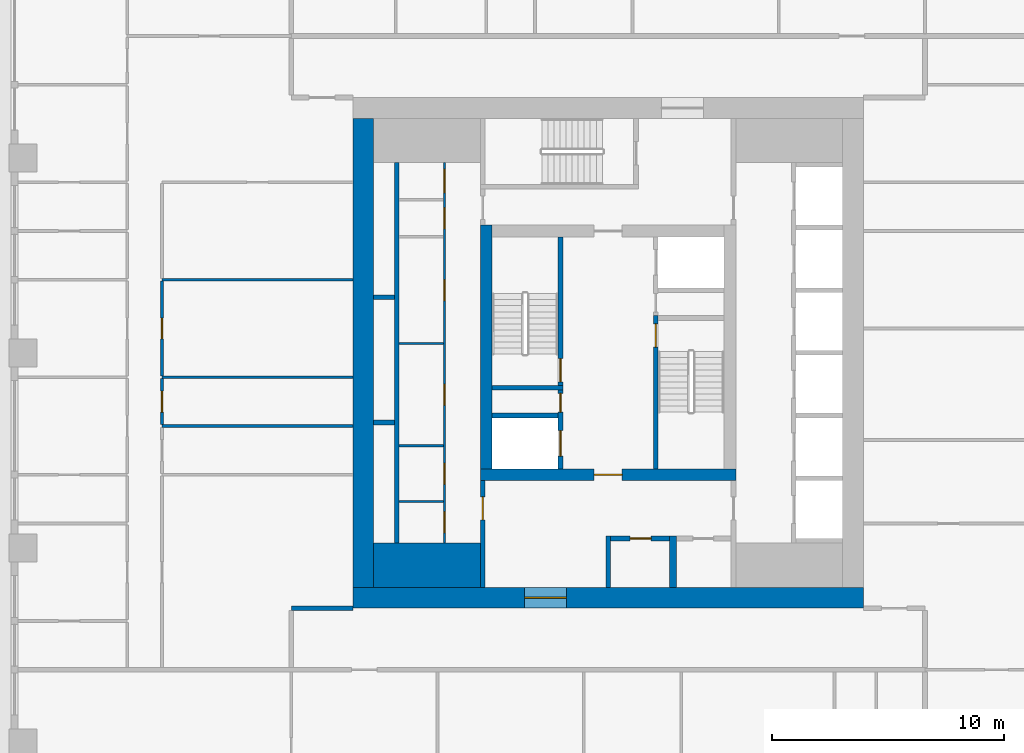
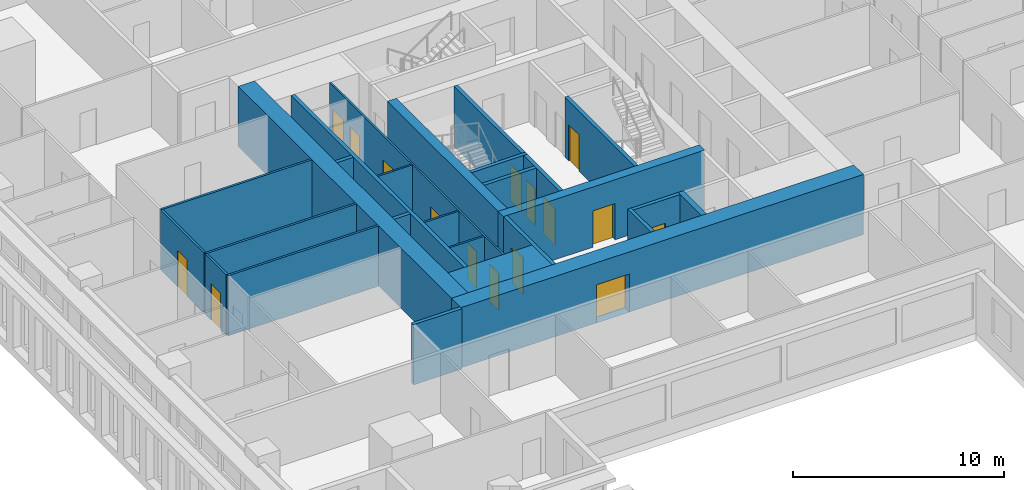
# One storey, part 3 of 14: 27 walls, 16 doors, 16 openings.
"""IFC4 building model written with IfcOpenShell, lengths in metres."""

from ifc_helpers import new_model, si_unit, direction, frame, frame_2d, origin, place, context, subcontext, project, spatial, rectangle, extrude, material, layer, layer_set, type_object, element, fill, save


model = new_model("IFC4")

# Units and contexts
model_context = context("Model", 3, precision=1e-05, world=origin(), true_north=direction((0.0, 1.0)))
body_context = subcontext(model_context, "Body", "Model", "MODEL_VIEW")
ifc_project = project(units=[si_unit("LENGTHUNIT", "METRE"), si_unit("AREAUNIT", "SQUARE_METRE"), si_unit("VOLUMEUNIT", "CUBIC_METRE"), si_unit("PLANEANGLEUNIT", "RADIAN"), si_unit("MASSUNIT", "GRAM", prefix="KILO")], contexts=[model_context])

# Site, building, storey
site_placement = place(None, origin())
site = spatial("IfcSite", under=ifc_project, at=site_placement, CompositionType="ELEMENT")
building_placement = place(site_placement, origin())
building = spatial("IfcBuilding", under=site, at=building_placement, Name="Khepri Terraces", CompositionType="ELEMENT")
storey_placement = place(building_placement, frame((0.0, 0.0, 275.699951171875)))
storey = spatial("IfcBuildingStorey", under=building, at=storey_placement, Name="L66", CompositionType="ELEMENT", Elevation=275.699951171875)

# Wall
ifc_material_1 = material(Name="Concrete C40/50", Category="concrete")
ifc_layer_1 = layer(ifc_material_1, 1.89990234375, Name="Concrete C40/50", Category="concrete")
ifc_layer_set_1 = layer_set([ifc_layer_1], Name="Concrete C40/50")
wall_type_1 = type_object("IfcWallType", Name="Core wall 1900 C40/50", PredefinedType="SHEAR", material=ifc_layer_set_1)
wall_1_placement = place(storey_placement, frame((-10.10009765625, -9.14990234375, 0.0), z_axis=(0.0, 0.0, 1.0), x_axis=(1.0, 0.0, 0.0)))
element("IfcWall", 1, at=wall_1_placement, inside=storey, type_object=wall_type_1, Name="Core wall PR01 L66", PredefinedType="SHEAR", context=body_context, shape_type="SweptSolid", body=[
    extrude(rectangle(XDim=4.60009765625, YDim=1.89990234375, at=frame_2d((2.300048828125, 0.0))), origin(), (0.0, 0.0, 1.0), 3.47998046875),
])

# Wall, opening, door
ifc_layer_2 = layer(ifc_material_1, 0.199951171875, Name="Concrete C40/50", Category="concrete")
ifc_layer_set_2 = layer_set([ifc_layer_2], Name="Concrete C40/50")
wall_type_2 = type_object("IfcWallType", Name="Core wall 200 C40/50", PredefinedType="SHEAR", material=ifc_layer_set_2)
wall_2_placement = place(storey_placement, frame((2.050048828125, -5.0, 0.0), z_axis=(0.0, 0.0, 1.0), x_axis=(0.0, 1.0, 0.0)))
wall_2 = element("IfcWall", 2, at=wall_2_placement, inside=storey, type_object=wall_type_2, Name="Core wall ST01 L66", PredefinedType="SHEAR", context=body_context, shape_type="SweptSolid", body=[
    extrude(rectangle(XDim=6.60009765625, YDim=0.199951171875, at=frame_2d((3.300048828125, 0.0))), origin(), (0.0, 0.0, 1.0), 3.47998046875),
])
opening_1_placement = place(wall_2_placement, frame((5.25, 0.0, 0.0)))
opening_1 = element("IfcOpeningElement", 3, at=opening_1_placement, cuts=wall_2, Name="Opening L66-C10", PredefinedType="OPENING", context=body_context, shape_type="SweptSolid", body=[
    extrude(rectangle(XDim=1.0, YDim=2.10009765625, at=frame_2d((0.5, 1.050048828125))), frame((0.0, 0.10986328125, 0.0), z_axis=(0.0, -1.0, 0.0), x_axis=(1.0, 0.0, 0.0)), (0.0, 0.0, 1.0), 0.219970703125),
])
ifc_material_2 = material(Name="Painted steel", Category="steel")
door_type_1 = type_object("IfcDoorType", Name="DR-CORE-STAIR-1000", OperationType="NOTDEFINED", PredefinedType="DOOR", material=ifc_material_2)
door_1_placement = place(opening_1_placement, frame((1.0, 0.0, 0.0), z_axis=(0.0, 0.0, 1.0), x_axis=(-1.0, 0.0, 0.0)))
door_1 = element("IfcDoor", 4, at=door_1_placement, inside=storey, type_object=door_type_1, Name="Stair door L66-C10", OperationType="SINGLE_SWING_LEFT", OverallHeight=2.10009765625, OverallWidth=1.0, PredefinedType="DOOR", context=body_context, shape_type="SweptSolid", body=[
    extrude(rectangle(XDim=1.0, YDim=2.10009765625, at=frame_2d((0.5, 1.050048828125))), frame((0.0, 0.02490234375, 0.0), z_axis=(0.0, -1.0, 0.0), x_axis=(1.0, 0.0, 0.0)), (0.0, 0.0, 1.0), 0.050048828125),
])
fill(opening_1, door_1)

# Wall
wall_3_placement = place(storey_placement, frame((-5.0, -1.5, 0.0), z_axis=(0.0, 0.0, 1.0), x_axis=(1.0, 0.0, 0.0)))
element("IfcWall", 5, at=wall_3_placement, inside=storey, type_object=wall_type_2, Name="Core wall ST02 L66", PredefinedType="SHEAR", context=body_context, shape_type="SweptSolid", body=[
    extrude(rectangle(XDim=3.050048828125, YDim=0.199951171875, at=frame_2d((1.52490234375, 0.0))), origin(), (0.0, 0.0, 1.0), 3.47998046875),
])

# Wall, opening, door
wall_4_placement = place(storey_placement, frame((-2.050048828125, -1.39990234375, 0.0), z_axis=(0.0, 0.0, 1.0), x_axis=(0.0, 1.0, 0.0)))
wall_4 = element("IfcWall", 6, at=wall_4_placement, inside=storey, type_object=wall_type_2, Name="Core wall ST03 L66", PredefinedType="SHEAR", context=body_context, shape_type="SweptSolid", body=[
    extrude(rectangle(XDim=6.39990234375, YDim=0.199951171875, at=frame_2d((3.199951171875, 0.0))), origin(), (0.0, 0.0, 1.0), 3.47998046875),
])
opening_2_placement = place(wall_4_placement, frame((0.14990234375, 0.0, 0.0)))
opening_2 = element("IfcOpeningElement", 7, at=opening_2_placement, cuts=wall_4, Name="Opening L66-C09", PredefinedType="OPENING", context=body_context, shape_type="SweptSolid", body=[
    extrude(rectangle(XDim=1.0, YDim=2.10009765625, at=frame_2d((0.5, 1.050048828125))), frame((0.0, 0.10986328125, 0.0), z_axis=(0.0, -1.0, 0.0), x_axis=(1.0, 0.0, 0.0)), (0.0, 0.0, 1.0), 0.219970703125),
])
door_2_placement = place(opening_2_placement, origin())
door_2 = element("IfcDoor", 8, at=door_2_placement, inside=storey, type_object=door_type_1, Name="Stair door L66-C09", OperationType="SINGLE_SWING_LEFT", OverallHeight=2.10009765625, OverallWidth=1.0, PredefinedType="DOOR", context=body_context, shape_type="SweptSolid", body=[
    extrude(rectangle(XDim=1.0, YDim=2.10009765625, at=frame_2d((0.5, 1.050048828125))), frame((0.0, 0.02490234375, 0.0), z_axis=(0.0, -1.0, 0.0), x_axis=(1.0, 0.0, 0.0)), (0.0, 0.0, 1.0), 0.050048828125),
])
fill(opening_2, door_2)

# Wall
wall_5_placement = place(storey_placement, frame((-9.10009765625, -8.199951171875, 0.0), z_axis=(0.0, 0.0, 1.0), x_axis=(0.0, 1.0, 0.0)))
element("IfcWall", 9, at=wall_5_placement, inside=storey, type_object=wall_type_2, Name="Core wall SH01 L66", PredefinedType="SHEAR", context=body_context, shape_type="SweptSolid", body=[
    extrude(rectangle(XDim=16.39990234375, YDim=0.199951171875, at=frame_2d((8.199951171875, 0.0))), origin(), (0.0, 0.0, 1.0), 3.47998046875),
])

# Wall, openings, doors
wall_6_placement = place(storey_placement, frame((-2.050048828125, -5.0, 0.0), z_axis=(0.0, 0.0, 1.0), x_axis=(0.0, 1.0, 0.0)))
wall_6 = element("IfcWall", 10, at=wall_6_placement, inside=storey, type_object=wall_type_2, Name="Core wall SH05 L66", PredefinedType="SHEAR", context=body_context, shape_type="SweptSolid", body=[
    extrude(rectangle(XDim=3.39990234375, YDim=0.199951171875, at=frame_2d((1.699951171875, 0.0))), origin(), (0.0, 0.0, 1.0), 3.47998046875),
])
opening_3_placement = place(wall_6_placement, frame((0.550048828125, 0.0, 0.0)))
opening_3 = element("IfcOpeningElement", 11, at=opening_3_placement, cuts=wall_6, Name="Opening L66-C08", PredefinedType="OPENING", context=body_context, shape_type="SweptSolid", body=[
    extrude(rectangle(XDim=1.10009765625, YDim=2.10009765625, at=frame_2d((0.550048828125, 1.050048828125))), frame((0.0, 0.10986328125, 0.0), z_axis=(0.0, -1.0, 0.0), x_axis=(1.0, 0.0, 0.0)), (0.0, 0.0, 1.0), 0.219970703125),
])
opening_4_placement = place(wall_6_placement, frame((2.449951171875, 0.0, 0.0)))
opening_4 = element("IfcOpeningElement", 12, at=opening_4_placement, cuts=wall_6, Name="Opening L66-C12", PredefinedType="OPENING", context=body_context, shape_type="SweptSolid", body=[
    extrude(rectangle(XDim=0.800048828125, YDim=2.10009765625, at=frame_2d((0.39990234375, 1.050048828125))), frame((0.0, 0.10986328125, 0.0), z_axis=(0.0, -1.0, 0.0), x_axis=(1.0, 0.0, 0.0)), (0.0, 0.0, 1.0), 0.219970703125),
])
ifc_material_3 = material(Name="Stainless steel 304", Category="steel")
door_type_2 = type_object("IfcDoorType", Name="DR-CORE-FF-LANDING-1100", OperationType="NOTDEFINED", PredefinedType="DOOR", material=ifc_material_3)
door_3_placement = place(opening_3_placement, origin())
door_3 = element("IfcDoor", 13, at=door_3_placement, inside=storey, type_object=door_type_2, Name="Firefighting lift landing door L66-C08", OperationType="SLIDING_TO_LEFT", OverallHeight=2.10009765625, OverallWidth=1.10009765625, PredefinedType="DOOR", context=body_context, shape_type="SweptSolid", body=[
    extrude(rectangle(XDim=1.10009765625, YDim=2.10009765625, at=frame_2d((0.550048828125, 1.050048828125))), frame((0.0, 0.02490234375, 0.0), z_axis=(0.0, -1.0, 0.0), x_axis=(1.0, 0.0, 0.0)), (0.0, 0.0, 1.0), 0.050048828125),
])
fill(opening_3, door_3)
door_type_3 = type_object("IfcDoorType", Name="DR-CORE-RISER-800", OperationType="NOTDEFINED", PredefinedType="DOOR", material=ifc_material_2)
door_4_placement = place(opening_4_placement, origin())
door_4 = element("IfcDoor", 14, at=door_4_placement, inside=storey, type_object=door_type_3, Name="Riser door L66-C12", OperationType="SINGLE_SWING_RIGHT", OverallHeight=2.10009765625, OverallWidth=0.800048828125, PredefinedType="DOOR", context=body_context, shape_type="SweptSolid", body=[
    extrude(rectangle(XDim=0.800048828125, YDim=2.10009765625, at=frame_2d((0.39990234375, 1.050048828125))), frame((0.0, 0.02490234375, 0.0), z_axis=(0.0, -1.0, 0.0), x_axis=(1.0, 0.0, 0.0)), (0.0, 0.0, 1.0), 0.050048828125),
])
fill(opening_4, door_4)

# Walls
wall_7_placement = place(storey_placement, frame((-10.10009765625, -3.0, 0.0), z_axis=(0.0, 0.0, 1.0), x_axis=(1.0, 0.0, 0.0)))
element("IfcWall", 15, at=wall_7_placement, inside=storey, type_object=wall_type_2, Name="Core wall SH06 L66", PredefinedType="SHEAR", context=body_context, shape_type="SweptSolid", body=[
    extrude(rectangle(XDim=0.900146484375, YDim=0.199951171875, at=frame_2d((0.4501953125, 0.0))), origin(), (0.0, 0.0, 1.0), 3.47998046875),
])
wall_8_placement = place(storey_placement, frame((-5.0, -2.699951171875, 0.0), z_axis=(0.0, 0.0, 1.0), x_axis=(1.0, 0.0, 0.0)))
element("IfcWall", 16, at=wall_8_placement, inside=storey, type_object=wall_type_2, Name="Core wall SH07 L66", PredefinedType="SHEAR", context=body_context, shape_type="SweptSolid", body=[
    extrude(rectangle(XDim=2.85009765625, YDim=0.199951171875, at=frame_2d((1.425048828125, 0.0))), origin(), (0.0, 0.0, 1.0), 3.47998046875),
])
wall_9_placement = place(storey_placement, frame((-10.10009765625, 2.39990234375, 0.0), z_axis=(0.0, 0.0, 1.0), x_axis=(1.0, 0.0, 0.0)))
element("IfcWall", 17, at=wall_9_placement, inside=storey, type_object=wall_type_2, Name="Core wall SH11 L66", PredefinedType="SHEAR", context=body_context, shape_type="SweptSolid", body=[
    extrude(rectangle(XDim=0.900146484375, YDim=0.199951171875, at=frame_2d((0.4501953125, 0.0))), origin(), (0.0, 0.0, 1.0), 3.47998046875),
])

# Wall, opening, door
ifc_layer_3 = layer(ifc_material_1, 0.5, Name="Concrete C40/50", Category="concrete")
ifc_layer_set_3 = layer_set([ifc_layer_3], Name="Concrete C40/50")
wall_type_3 = type_object("IfcWallType", Name="Core wall 500 C40/50", PredefinedType="SHEAR", material=ifc_layer_set_3)
wall_10_placement = place(storey_placement, frame((-5.5, -5.25, 0.0), z_axis=(0.0, 0.0, 1.0), x_axis=(1.0, 0.0, 0.0)))
wall_10 = element("IfcWall", 18, at=wall_10_placement, inside=storey, type_object=wall_type_3, Name="Core wall BX01 L66", PredefinedType="SHEAR", context=body_context, shape_type="SweptSolid", body=[
    extrude(rectangle(XDim=11.0, YDim=0.5, at=frame_2d((5.5, 0.0))), origin(), (0.0, 0.0, 1.0), 3.47998046875),
])
opening_5_placement = place(wall_10_placement, frame((4.89990234375, 0.0, 0.0)))
opening_5 = element("IfcOpeningElement", 19, at=opening_5_placement, cuts=wall_10, Name="Opening L66-C14", PredefinedType="OPENING", context=body_context, shape_type="SweptSolid", body=[
    extrude(rectangle(XDim=1.199951171875, YDim=2.10009765625, at=frame_2d((0.60009765625, 1.050048828125))), frame((0.0, 0.260009765625, 0.0), z_axis=(0.0, -1.0, 0.0), x_axis=(1.0, 0.0, 0.0)), (0.0, 0.0, 1.0), 0.52001953125),
])
door_type_4 = type_object("IfcDoorType", Name="DR-CORE-FF-LOBBY-1200", OperationType="NOTDEFINED", PredefinedType="DOOR", material=ifc_material_2)
door_5_placement = place(opening_5_placement, origin())
door_5 = element("IfcDoor", 20, at=door_5_placement, inside=storey, type_object=door_type_4, Name="Firefighting lobby door L66-C14", OperationType="SINGLE_SWING_RIGHT", OverallHeight=2.10009765625, OverallWidth=1.199951171875, PredefinedType="DOOR", context=body_context, shape_type="SweptSolid", body=[
    extrude(rectangle(XDim=1.199951171875, YDim=2.10009765625, at=frame_2d((0.60009765625, 1.050048828125))), frame((0.0, 0.02490234375, 0.0), z_axis=(0.0, -1.0, 0.0), x_axis=(1.0, 0.0, 0.0)), (0.0, 0.0, 1.0), 0.050048828125),
])
fill(opening_5, door_5)

# Wall
wall_11_placement = place(storey_placement, frame((-5.25, -5.0, 0.0), z_axis=(0.0, 0.0, 1.0), x_axis=(0.0, 1.0, 0.0)))
element("IfcWall", 21, at=wall_11_placement, inside=storey, type_object=wall_type_3, Name="Core wall BX02 L66", PredefinedType="SHEAR", context=body_context, shape_type="SweptSolid", body=[
    extrude(rectangle(XDim=10.5, YDim=0.5, at=frame_2d((5.25, 0.0))), origin(), (0.0, 0.0, 1.0), 3.47998046875),
])

# Wall, opening, door
ifc_layer_4 = layer(ifc_material_1, 0.89990234375, Name="Concrete C40/50", Category="concrete")
ifc_layer_set_4 = layer_set([ifc_layer_4], Name="Concrete C40/50")
wall_type_4 = type_object("IfcWallType", Name="Core wall 900 C40/50", PredefinedType="SHEAR", material=ifc_layer_set_4)
wall_12_placement = place(storey_placement, frame((-11.0, -10.550048828125, 0.0), z_axis=(0.0, 0.0, 1.0), x_axis=(1.0, 0.0, 0.0)))
wall_12 = element("IfcWall", 22, at=wall_12_placement, inside=storey, type_object=wall_type_4, Name="Core wall OW-S L66", PredefinedType="SHEAR", context=body_context, shape_type="SweptSolid", body=[
    extrude(rectangle(XDim=22.0, YDim=0.89990234375, at=frame_2d((11.0, 0.0))), origin(), (0.0, 0.0, 1.0), 3.47998046875),
])
opening_6_placement = place(wall_12_placement, frame((7.39990234375, 0.0, 0.0)))
opening_6 = element("IfcOpeningElement", 23, at=opening_6_placement, cuts=wall_12, Name="Opening L66-C21", PredefinedType="OPENING", context=body_context, shape_type="SweptSolid", body=[
    extrude(rectangle(XDim=1.800048828125, YDim=2.199951171875, at=frame_2d((0.89990234375, 1.10009765625))), frame((0.0, 0.4599609375, 0.0), z_axis=(0.0, -1.0, 0.0), x_axis=(1.0, 0.0, 0.0)), (0.0, 0.0, 1.0), 0.919921875),
])
door_type_5 = type_object("IfcDoorType", Name="DR-CORE-ENTRANCE-1800", OperationType="NOTDEFINED", PredefinedType="DOOR", material=ifc_material_2)
door_6_placement = place(opening_6_placement, frame((1.800048828125, 0.0, 0.0), z_axis=(0.0, 0.0, 1.0), x_axis=(-1.0, 0.0, 0.0)))
door_6 = element("IfcDoor", 24, at=door_6_placement, inside=storey, type_object=door_type_5, Name="Core entrance door pair L66-C21", OperationType="DOUBLE_DOOR_SINGLE_SWING", OverallHeight=2.199951171875, OverallWidth=1.800048828125, PredefinedType="DOOR", context=body_context, shape_type="SweptSolid", body=[
    extrude(rectangle(XDim=1.800048828125, YDim=2.199951171875, at=frame_2d((0.89990234375, 1.10009765625))), frame((0.0, 0.02490234375, 0.0), z_axis=(0.0, -1.0, 0.0), x_axis=(1.0, 0.0, 0.0)), (0.0, 0.0, 1.0), 0.050048828125),
])
fill(opening_6, door_6)

# Wall
wall_13_placement = place(storey_placement, frame((-10.550048828125, -10.10009765625, 0.0), z_axis=(0.0, 0.0, 1.0), x_axis=(0.0, 1.0, 0.0)))
element("IfcWall", 25, at=wall_13_placement, inside=storey, type_object=wall_type_4, Name="Core wall OW-W L66", PredefinedType="SHEAR", context=body_context, shape_type="SweptSolid", body=[
    extrude(rectangle(XDim=20.2001953125, YDim=0.89990234375, at=frame_2d((10.10009765625, 0.0))), origin(), (0.0, 0.0, 1.0), 3.47998046875),
])

# Wall, openings, doors
ifc_material_4 = material(Name="Fire-rated gypsum board partition")
ifc_layer_5 = layer(ifc_material_4, 0.10009765625, Name="Fire-rated gypsum board partition")
ifc_layer_set_5 = layer_set([ifc_layer_5], Name="Fire-rated gypsum board partition")
wall_type_5 = type_object("IfcWallType", Name="WL-CORE-PART-100", PredefinedType="PARTITIONING", material=ifc_layer_set_5)
wall_14_placement = place(storey_placement, frame((-7.050048828125, -8.199951171875, 0.0), z_axis=(0.0, 0.0, 1.0), x_axis=(0.0, 1.0, 0.0)))
wall_14 = element("IfcWall", 26, at=wall_14_placement, inside=storey, type_object=wall_type_5, Name="Core partition PT05 L66", PredefinedType="PARTITIONING", context=body_context, shape_type="SweptSolid", body=[
    extrude(rectangle(XDim=16.39990234375, YDim=0.10009765625, at=frame_2d((8.199951171875, 0.0))), origin(), (0.0, 0.0, 1.0), 3.47998046875),
])
opening_7_placement = place(wall_14_placement, frame((0.449951171875, 0.0, 0.0)))
opening_7 = element("IfcOpeningElement", 27, at=opening_7_placement, cuts=wall_14, Name="Opening L66-C24", PredefinedType="OPENING", context=body_context, shape_type="SweptSolid", body=[
    extrude(rectangle(XDim=0.89990234375, YDim=2.10009765625, at=frame_2d((0.449951171875, 1.050048828125))), frame((0.0, 0.06005859375, 0.0), z_axis=(0.0, -1.0, 0.0), x_axis=(1.0, 0.0, 0.0)), (0.0, 0.0, 1.0), 0.1201171875),
])
opening_8_placement = place(wall_14_placement, frame((2.550048828125, 0.0, 0.0)))
opening_8 = element("IfcOpeningElement", 28, at=opening_8_placement, cuts=wall_14, Name="Opening L66-C25", PredefinedType="OPENING", context=body_context, shape_type="SweptSolid", body=[
    extrude(rectangle(XDim=0.89990234375, YDim=2.10009765625, at=frame_2d((0.449951171875, 1.050048828125))), frame((0.0, 0.06005859375, 0.0), z_axis=(0.0, -1.0, 0.0), x_axis=(1.0, 0.0, 0.0)), (0.0, 0.0, 1.0), 0.1201171875),
])
opening_9_placement = place(wall_14_placement, frame((5.949951171875, 0.0, 0.0)))
opening_9 = element("IfcOpeningElement", 29, at=opening_9_placement, cuts=wall_14, Name="Opening L66-C26", PredefinedType="OPENING", context=body_context, shape_type="SweptSolid", body=[
    extrude(rectangle(XDim=0.89990234375, YDim=2.10009765625, at=frame_2d((0.449951171875, 1.050048828125))), frame((0.0, 0.06005859375, 0.0), z_axis=(0.0, -1.0, 0.0), x_axis=(1.0, 0.0, 0.0)), (0.0, 0.0, 1.0), 0.1201171875),
])
opening_10_placement = place(wall_14_placement, frame((10.449951171875, 0.0, 0.0)))
opening_10 = element("IfcOpeningElement", 30, at=opening_10_placement, cuts=wall_14, Name="Opening L66-C27", PredefinedType="OPENING", context=body_context, shape_type="SweptSolid", body=[
    extrude(rectangle(XDim=0.89990234375, YDim=2.10009765625, at=frame_2d((0.449951171875, 1.050048828125))), frame((0.0, 0.06005859375, 0.0), z_axis=(0.0, -1.0, 0.0), x_axis=(1.0, 0.0, 0.0)), (0.0, 0.0, 1.0), 0.1201171875),
])
opening_11_placement = place(wall_14_placement, frame((13.550048828125, 0.0, 0.0)))
opening_11 = element("IfcOpeningElement", 31, at=opening_11_placement, cuts=wall_14, Name="Opening L66-C28", PredefinedType="OPENING", context=body_context, shape_type="SweptSolid", body=[
    extrude(rectangle(XDim=0.89990234375, YDim=2.10009765625, at=frame_2d((0.449951171875, 1.050048828125))), frame((0.0, 0.06005859375, 0.0), z_axis=(0.0, -1.0, 0.0), x_axis=(1.0, 0.0, 0.0)), (0.0, 0.0, 1.0), 0.1201171875),
])
opening_12_placement = place(wall_14_placement, frame((15.10009765625, 0.0, 0.0)))
opening_12 = element("IfcOpeningElement", 32, at=opening_12_placement, cuts=wall_14, Name="Opening L66-C29", PredefinedType="OPENING", context=body_context, shape_type="SweptSolid", body=[
    extrude(rectangle(XDim=1.0, YDim=2.10009765625, at=frame_2d((0.5, 1.050048828125))), frame((0.0, 0.06005859375, 0.0), z_axis=(0.0, -1.0, 0.0), x_axis=(1.0, 0.0, 0.0)), (0.0, 0.0, 1.0), 0.1201171875),
])
door_type_6 = type_object("IfcDoorType", Name="DR-CORE-SERVICE-900", OperationType="NOTDEFINED", PredefinedType="DOOR", material=ifc_material_2)
door_7_placement = place(opening_7_placement, origin())
door_7 = element("IfcDoor", 33, at=door_7_placement, inside=storey, type_object=door_type_6, Name="Service room door L66-C24", OperationType="SINGLE_SWING_LEFT", OverallHeight=2.10009765625, OverallWidth=0.89990234375, PredefinedType="DOOR", context=body_context, shape_type="SweptSolid", body=[
    extrude(rectangle(XDim=0.89990234375, YDim=2.10009765625, at=frame_2d((0.449951171875, 1.050048828125))), frame((0.0, 0.02490234375, 0.0), z_axis=(0.0, -1.0, 0.0), x_axis=(1.0, 0.0, 0.0)), (0.0, 0.0, 1.0), 0.050048828125),
])
fill(opening_7, door_7)
door_8_placement = place(opening_8_placement, origin())
door_8 = element("IfcDoor", 34, at=door_8_placement, inside=storey, type_object=door_type_6, Name="Service room door L66-C25", OperationType="SINGLE_SWING_LEFT", OverallHeight=2.10009765625, OverallWidth=0.89990234375, PredefinedType="DOOR", context=body_context, shape_type="SweptSolid", body=[
    extrude(rectangle(XDim=0.89990234375, YDim=2.10009765625, at=frame_2d((0.449951171875, 1.050048828125))), frame((0.0, 0.02490234375, 0.0), z_axis=(0.0, -1.0, 0.0), x_axis=(1.0, 0.0, 0.0)), (0.0, 0.0, 1.0), 0.050048828125),
])
fill(opening_8, door_8)
door_9_placement = place(opening_9_placement, origin())
door_9 = element("IfcDoor", 35, at=door_9_placement, inside=storey, type_object=door_type_6, Name="Service room door L66-C26", OperationType="SINGLE_SWING_LEFT", OverallHeight=2.10009765625, OverallWidth=0.89990234375, PredefinedType="DOOR", context=body_context, shape_type="SweptSolid", body=[
    extrude(rectangle(XDim=0.89990234375, YDim=2.10009765625, at=frame_2d((0.449951171875, 1.050048828125))), frame((0.0, 0.02490234375, 0.0), z_axis=(0.0, -1.0, 0.0), x_axis=(1.0, 0.0, 0.0)), (0.0, 0.0, 1.0), 0.050048828125),
])
fill(opening_9, door_9)
door_10_placement = place(opening_10_placement, origin())
door_10 = element("IfcDoor", 36, at=door_10_placement, inside=storey, type_object=door_type_6, Name="Service room door L66-C27", OperationType="SINGLE_SWING_RIGHT", OverallHeight=2.10009765625, OverallWidth=0.89990234375, PredefinedType="DOOR", context=body_context, shape_type="SweptSolid", body=[
    extrude(rectangle(XDim=0.89990234375, YDim=2.10009765625, at=frame_2d((0.449951171875, 1.050048828125))), frame((0.0, 0.02490234375, 0.0), z_axis=(0.0, -1.0, 0.0), x_axis=(1.0, 0.0, 0.0)), (0.0, 0.0, 1.0), 0.050048828125),
])
fill(opening_10, door_10)
door_11_placement = place(opening_11_placement, origin())
door_11 = element("IfcDoor", 37, at=door_11_placement, inside=storey, type_object=door_type_6, Name="Service room door L66-C28", OperationType="SINGLE_SWING_RIGHT", OverallHeight=2.10009765625, OverallWidth=0.89990234375, PredefinedType="DOOR", context=body_context, shape_type="SweptSolid", body=[
    extrude(rectangle(XDim=0.89990234375, YDim=2.10009765625, at=frame_2d((0.449951171875, 1.050048828125))), frame((0.0, 0.02490234375, 0.0), z_axis=(0.0, -1.0, 0.0), x_axis=(1.0, 0.0, 0.0)), (0.0, 0.0, 1.0), 0.050048828125),
])
fill(opening_11, door_11)
ifc_material_5 = material(Name="Timber veneer", Category="wood")
door_type_7 = type_object("IfcDoorType", Name="DR-CORE-WC-1000", OperationType="NOTDEFINED", PredefinedType="DOOR", material=ifc_material_5)
door_12_placement = place(opening_12_placement, origin())
door_12 = element("IfcDoor", 38, at=door_12_placement, inside=storey, type_object=door_type_7, Name="WC door L66-C29", OperationType="SINGLE_SWING_RIGHT", OverallHeight=2.10009765625, OverallWidth=1.0, PredefinedType="DOOR", context=body_context, shape_type="SweptSolid", body=[
    extrude(rectangle(XDim=1.0, YDim=2.10009765625, at=frame_2d((0.5, 1.050048828125))), frame((0.0, 0.02490234375, 0.0), z_axis=(0.0, -1.0, 0.0), x_axis=(1.0, 0.0, 0.0)), (0.0, 0.0, 1.0), 0.050048828125),
])
fill(opening_12, door_12)

# Walls
for number, where, z_axis, x_axis, name in (
    (39, (-9.0, -6.39990234375, 0.0), (0.0, 0.0, 1.0), (1.0, 0.0, 0.0), "Core partition PT08 L66"),
    (40, (-9.0, -4.0, 0.0), (0.0, 0.0, 1.0), (1.0, 0.0, 0.0), "Core partition PT09 L66"),
    (41, (-9.0, 0.39990234375, 0.0), (0.0, 0.0, 1.0), (1.0, 0.0, 0.0), "Core partition PT10 L66"),
):
    element("IfcWall", number, at=place(storey_placement, frame(where, z_axis=z_axis, x_axis=x_axis)), inside=storey, type_object=wall_type_5, Name=name, PredefinedType="PARTITIONING", context=body_context, shape_type="SweptSolid", body=[
        extrude(rectangle(XDim=1.89990234375, YDim=0.10009765625, at=frame_2d((0.949951171875, 0.0))), origin(), (0.0, 0.0, 1.0), 3.47998046875),
    ])

# Wall, opening, door
ifc_layer_6 = layer(ifc_material_4, 0.199951171875, Name="Fire-rated gypsum board partition")
ifc_layer_set_6 = layer_set([ifc_layer_6], Name="Fire-rated gypsum board partition")
wall_type_6 = type_object("IfcWallType", Name="WL-CORE-PART-200", PredefinedType="PARTITIONING", material=ifc_layer_set_6)
wall_15_placement = place(storey_placement, frame((-5.39990234375, -10.10009765625, 0.0), z_axis=(0.0, 0.0, 1.0), x_axis=(0.0, 1.0, 0.0)))
wall_15 = element("IfcWall", 42, at=wall_15_placement, inside=storey, type_object=wall_type_6, Name="Core partition PT01 L66", PredefinedType="PARTITIONING", context=body_context, shape_type="SweptSolid", body=[
    extrude(rectangle(XDim=4.60009765625, YDim=0.199951171875, at=frame_2d((2.300048828125, 0.0))), origin(), (0.0, 0.0, 1.0), 3.47998046875),
])
opening_13_placement = place(wall_15_placement, frame((2.89990234375, 0.0, 0.0)))
opening_13 = element("IfcOpeningElement", 43, at=opening_13_placement, cuts=wall_15, Name="Opening L66-C18", PredefinedType="OPENING", context=body_context, shape_type="SweptSolid", body=[
    extrude(rectangle(XDim=1.0, YDim=2.10009765625, at=frame_2d((0.5, 1.050048828125))), frame((0.0, 0.10986328125, 0.0), z_axis=(0.0, -1.0, 0.0), x_axis=(1.0, 0.0, 0.0)), (0.0, 0.0, 1.0), 0.219970703125),
])
door_type_8 = type_object("IfcDoorType", Name="DR-CORE-LOBBY-1000", OperationType="NOTDEFINED", PredefinedType="DOOR", material=ifc_material_2)
door_13_placement = place(opening_13_placement, frame((1.0, 0.0, 0.0), z_axis=(0.0, 0.0, 1.0), x_axis=(-1.0, 0.0, 0.0)))
door_13 = element("IfcDoor", 44, at=door_13_placement, inside=storey, type_object=door_type_8, Name="Lobby door L66-C18", OperationType="SINGLE_SWING_LEFT", OverallHeight=2.10009765625, OverallWidth=1.0, PredefinedType="DOOR", context=body_context, shape_type="SweptSolid", body=[
    extrude(rectangle(XDim=1.0, YDim=2.10009765625, at=frame_2d((0.5, 1.050048828125))), frame((0.0, 0.02490234375, 0.0), z_axis=(0.0, -1.0, 0.0), x_axis=(1.0, 0.0, 0.0)), (0.0, 0.0, 1.0), 0.050048828125),
])
fill(opening_13, door_13)

# Wall
wall_16_placement = place(storey_placement, frame((0.0, -10.10009765625, 0.0), z_axis=(0.0, 0.0, 1.0), x_axis=(0.0, 1.0, 0.0)))
element("IfcWall", 45, at=wall_16_placement, inside=storey, type_object=wall_type_6, Name="Core partition PT02 L66", PredefinedType="PARTITIONING", context=body_context, shape_type="SweptSolid", body=[
    extrude(rectangle(XDim=2.2001953125, YDim=0.199951171875, at=frame_2d((1.10009765625, 0.0))), origin(), (0.0, 0.0, 1.0), 3.47998046875),
])

# Wall, opening, door
wall_17_placement = place(storey_placement, frame((0.10009765625, -8.0, 0.0), z_axis=(0.0, 0.0, 1.0), x_axis=(1.0, 0.0, 0.0)))
wall_17 = element("IfcWall", 46, at=wall_17_placement, inside=storey, type_object=wall_type_6, Name="Core partition PT06 L66", PredefinedType="PARTITIONING", context=body_context, shape_type="SweptSolid", body=[
    extrude(rectangle(XDim=2.5498046875, YDim=0.199951171875, at=frame_2d((1.27490234375, 0.0))), origin(), (0.0, 0.0, 1.0), 3.47998046875),
])
opening_14_placement = place(wall_17_placement, frame((0.85009765625, 0.0, 0.0)))
opening_14 = element("IfcOpeningElement", 47, at=opening_14_placement, cuts=wall_17, Name="Opening L66-C22", PredefinedType="OPENING", context=body_context, shape_type="SweptSolid", body=[
    extrude(rectangle(XDim=0.89990234375, YDim=2.10009765625, at=frame_2d((0.449951171875, 1.050048828125))), frame((0.0, 0.10986328125, 0.0), z_axis=(0.0, -1.0, 0.0), x_axis=(1.0, 0.0, 0.0)), (0.0, 0.0, 1.0), 0.219970703125),
])
door_14_placement = place(opening_14_placement, frame((0.89990234375, 0.0, 0.0), z_axis=(0.0, 0.0, 1.0), x_axis=(-1.0, 0.0, 0.0)))
door_14 = element("IfcDoor", 48, at=door_14_placement, inside=storey, type_object=door_type_6, Name="Service room door L66-C22", OperationType="SINGLE_SWING_LEFT", OverallHeight=2.10009765625, OverallWidth=0.89990234375, PredefinedType="DOOR", context=body_context, shape_type="SweptSolid", body=[
    extrude(rectangle(XDim=0.89990234375, YDim=2.10009765625, at=frame_2d((0.449951171875, 1.050048828125))), frame((0.0, 0.02490234375, 0.0), z_axis=(0.0, -1.0, 0.0), x_axis=(1.0, 0.0, 0.0)), (0.0, 0.0, 1.0), 0.050048828125),
])
fill(opening_14, door_14)

# Walls
ifc_layer_7 = layer(ifc_material_4, 0.300048828125, Name="Fire-rated gypsum board partition")
ifc_layer_set_7 = layer_set([ifc_layer_7], Name="Fire-rated gypsum board partition")
wall_type_7 = type_object("IfcWallType", Name="WL-CORE-PART-300", PredefinedType="PARTITIONING", material=ifc_layer_set_7)
wall_18_placement = place(storey_placement, frame((2.800048828125, -10.10009765625, 0.0), z_axis=(0.0, 0.0, 1.0), x_axis=(0.0, 1.0, 0.0)))
element("IfcWall", 49, at=wall_18_placement, inside=storey, type_object=wall_type_7, Name="Core partition PT03 L66", PredefinedType="PARTITIONING", context=body_context, shape_type="SweptSolid", body=[
    extrude(rectangle(XDim=2.2001953125, YDim=0.300048828125, at=frame_2d((1.10009765625, 0.0))), origin(), (0.0, 0.0, 1.0), 3.47998046875),
])
ifc_material_6 = material(Name="Fire-rated gypsum plasterboard partition, mineral wool")
ifc_layer_8 = layer(ifc_material_6, 0.199951171875, Name="Fire-rated gypsum plasterboard partition, mineral wool")
ifc_layer_set_8 = layer_set([ifc_layer_8], Name="Fire-rated gypsum plasterboard partition, mineral wool")
wall_type_8 = type_object("IfcWallType", Name="WL-CORR-200", PredefinedType="PARTITIONING", material=ifc_layer_set_8)
wall_19_placement = place(storey_placement, frame((-13.64990234375, -11.0, 0.0), z_axis=(0.0, 0.0, 1.0), x_axis=(1.0, 0.0, 0.0)))
element("IfcWall", 50, at=wall_19_placement, inside=storey, type_object=wall_type_8, Name="Partition P-026 L66", PredefinedType="PARTITIONING", context=body_context, shape_type="SweptSolid", body=[
    extrude(rectangle(XDim=2.64990234375, YDim=0.199951171875, at=frame_2d((1.324951171875, 0.0))), origin(), (0.0, 0.0, 1.0), 3.47998046875),
])
ifc_material_7 = material(Name="Gypsum plasterboard partition")
ifc_layer_9 = layer(ifc_material_7, 0.1201171875, Name="Gypsum plasterboard partition")
ifc_layer_set_9 = layer_set([ifc_layer_9], Name="Gypsum plasterboard partition")
wall_type_9 = type_object("IfcWallType", Name="WL-PART-120", PredefinedType="PARTITIONING", material=ifc_layer_set_9)
wall_20_placement = place(storey_placement, frame((-19.219970703125, -3.14990234375, 0.0), z_axis=(0.0, 0.0, 1.0), x_axis=(1.0, 0.0, 0.0)))
element("IfcWall", 51, at=wall_20_placement, inside=storey, type_object=wall_type_9, Name="Partition P-040 L66", PredefinedType="PARTITIONING", context=body_context, shape_type="SweptSolid", body=[
    extrude(rectangle(XDim=8.219970703125, YDim=0.1201171875, at=frame_2d((4.10986328125, 0.0))), origin(), (0.0, 0.0, 1.0), 3.47998046875),
])

# Wall, opening, door
wall_21_placement = place(storey_placement, frame((-19.219970703125, -3.090087890625, 0.0), z_axis=(0.0, 0.0, 1.0), x_axis=(0.0, 1.0, 0.0)))
wall_21 = element("IfcWall", 52, at=wall_21_placement, inside=storey, type_object=wall_type_9, Name="Partition P-042 L66", PredefinedType="PARTITIONING", context=body_context, shape_type="SweptSolid", body=[
    extrude(rectangle(XDim=1.97998046875, YDim=0.1201171875, at=frame_2d((0.989990234375, 0.0))), origin(), (0.0, 0.0, 1.0), 3.47998046875),
])
opening_15_placement = place(wall_21_placement, frame((0.5400390625, 0.0, 0.0)))
opening_15 = element("IfcOpeningElement", 53, at=opening_15_placement, cuts=wall_21, Name="Opening D4", PredefinedType="OPENING", context=body_context, shape_type="SweptSolid", body=[
    extrude(rectangle(XDim=0.89990234375, YDim=2.10009765625, at=frame_2d((0.449951171875, 1.050048828125))), frame((0.0, 0.070068359375, 0.0), z_axis=(0.0, -1.0, 0.0), x_axis=(1.0, 0.0, 0.0)), (0.0, 0.0, 1.0), 0.14013671875),
])
ifc_material_8 = material(Name="Timber door leaf, moisture resistant", Category="wood")
door_type_9 = type_object("IfcDoorType", Name="DR-WET-900", OperationType="NOTDEFINED", PredefinedType="DOOR", material=ifc_material_8)
door_15_placement = place(opening_15_placement, frame((0.89990234375, 0.0, 0.0), z_axis=(0.0, 0.0, 1.0), x_axis=(-1.0, 0.0, 0.0)))
door_15 = element("IfcDoor", 54, at=door_15_placement, inside=storey, type_object=door_type_9, Name="Door Powder Room", OperationType="SINGLE_SWING_RIGHT", OverallHeight=2.10009765625, OverallWidth=0.89990234375, PredefinedType="DOOR", context=body_context, shape_type="SweptSolid", body=[
    extrude(rectangle(XDim=0.89990234375, YDim=2.10009765625, at=frame_2d((0.449951171875, 1.050048828125))), frame((0.0, 0.02490234375, 0.0), z_axis=(0.0, -1.0, 0.0), x_axis=(1.0, 0.0, 0.0)), (0.0, 0.0, 1.0), 0.050048828125),
])
fill(opening_15, door_15)

# Wall
wall_22_placement = place(storey_placement, frame((-19.219970703125, -1.050048828125, 0.0), z_axis=(0.0, 0.0, 1.0), x_axis=(1.0, 0.0, 0.0)))
element("IfcWall", 55, at=wall_22_placement, inside=storey, type_object=wall_type_9, Name="Partition P-045 L66", PredefinedType="PARTITIONING", context=body_context, shape_type="SweptSolid", body=[
    extrude(rectangle(XDim=8.219970703125, YDim=0.1201171875, at=frame_2d((4.10986328125, 0.0))), origin(), (0.0, 0.0, 1.0), 3.47998046875),
])

# Wall, opening, door
wall_23_placement = place(storey_placement, frame((-19.219970703125, -0.989990234375, 0.0), z_axis=(0.0, 0.0, 1.0), x_axis=(0.0, 1.0, 0.0)))
wall_23 = element("IfcWall", 56, at=wall_23_placement, inside=storey, type_object=wall_type_9, Name="Partition P-048 L66", PredefinedType="PARTITIONING", context=body_context, shape_type="SweptSolid", body=[
    extrude(rectangle(XDim=4.080078125, YDim=0.1201171875, at=frame_2d((2.0400390625, 0.0))), origin(), (0.0, 0.0, 1.0), 3.47998046875),
])
opening_16_placement = place(wall_23_placement, frame((1.590087890625, 0.0, 0.0)))
opening_16 = element("IfcOpeningElement", 57, at=opening_16_placement, cuts=wall_23, Name="Opening D3", PredefinedType="OPENING", context=body_context, shape_type="SweptSolid", body=[
    extrude(rectangle(XDim=0.89990234375, YDim=2.10009765625, at=frame_2d((0.449951171875, 1.050048828125))), frame((0.0, 0.070068359375, 0.0), z_axis=(0.0, -1.0, 0.0), x_axis=(1.0, 0.0, 0.0)), (0.0, 0.0, 1.0), 0.14013671875),
])
ifc_material_9 = material(Name="Timber door leaf", Category="wood")
door_type_10 = type_object("IfcDoorType", Name="DR-INT-900", OperationType="NOTDEFINED", PredefinedType="DOOR", material=ifc_material_9)
door_16_placement = place(opening_16_placement, frame((0.89990234375, 0.0, 0.0), z_axis=(0.0, 0.0, 1.0), x_axis=(-1.0, 0.0, 0.0)))
door_16 = element("IfcDoor", 58, at=door_16_placement, inside=storey, type_object=door_type_10, Name="Door Staff Bedroom", OperationType="SINGLE_SWING_LEFT", OverallHeight=2.10009765625, OverallWidth=0.89990234375, PredefinedType="DOOR", context=body_context, shape_type="SweptSolid", body=[
    extrude(rectangle(XDim=0.89990234375, YDim=2.10009765625, at=frame_2d((0.449951171875, 1.050048828125))), frame((0.0, 0.02490234375, 0.0), z_axis=(0.0, -1.0, 0.0), x_axis=(1.0, 0.0, 0.0)), (0.0, 0.0, 1.0), 0.050048828125),
])
fill(opening_16, door_16)

# Wall
wall_24_placement = place(storey_placement, frame((-19.219970703125, 3.14990234375, 0.0), z_axis=(0.0, 0.0, 1.0), x_axis=(1.0, 0.0, 0.0)))
element("IfcWall", 59, at=wall_24_placement, inside=storey, type_object=wall_type_9, Name="Partition P-053 L66", PredefinedType="PARTITIONING", context=body_context, shape_type="SweptSolid", body=[
    extrude(rectangle(XDim=8.219970703125, YDim=0.1201171875, at=frame_2d((4.10986328125, 0.0))), origin(), (0.0, 0.0, 1.0), 3.47998046875),
])

save(model, "model.ifc")
